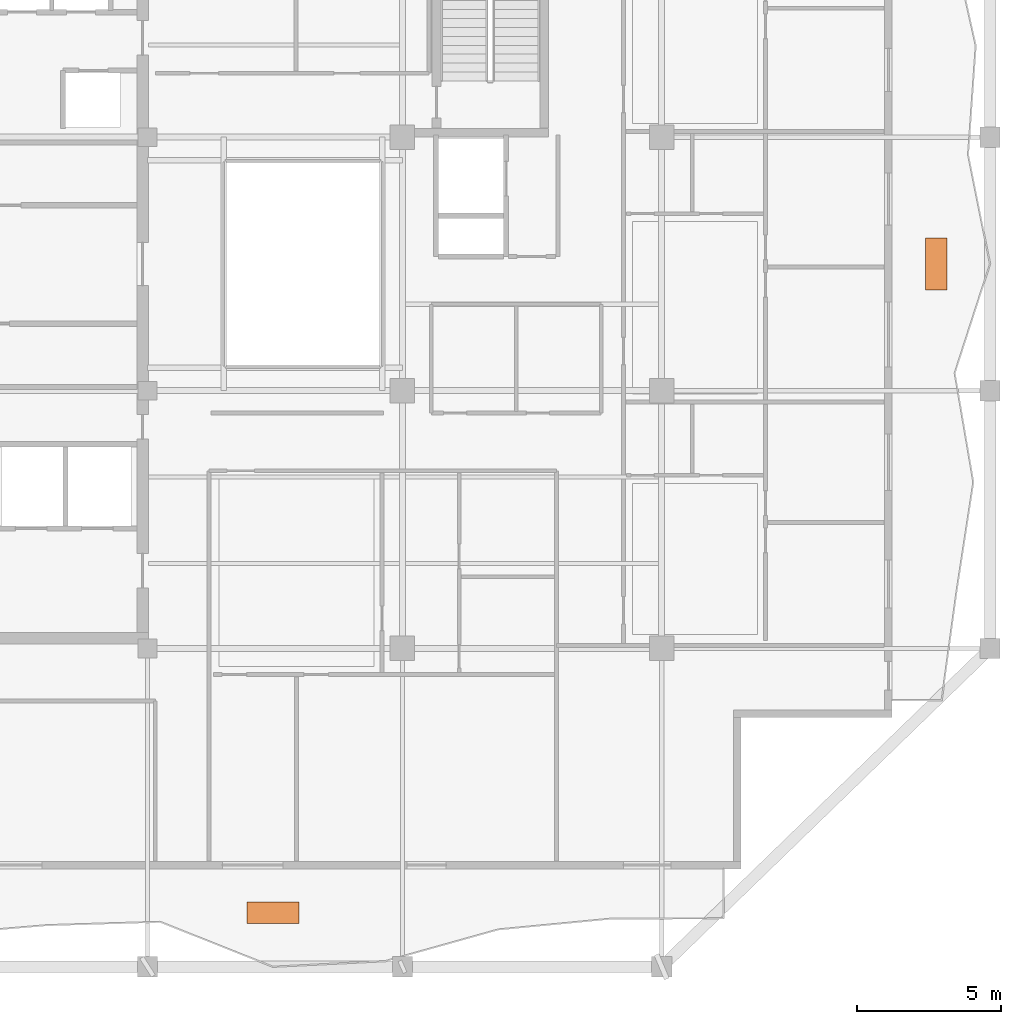
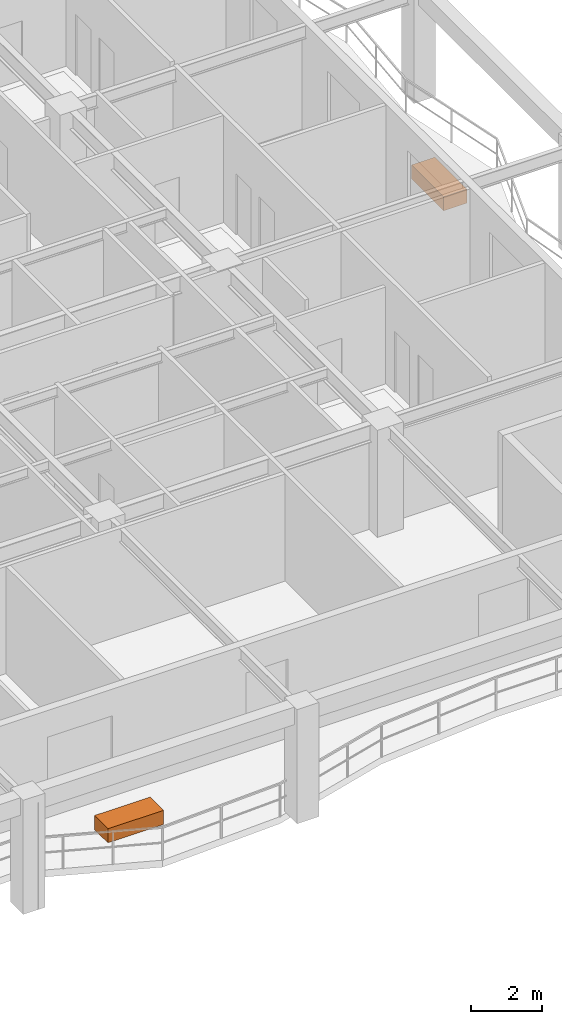
# One storey, part 12 of 12: 2 proxies.
"""IFC4 building model written with IfcOpenShell, lengths in metres."""

from ifc_helpers import new_model, si_unit, direction, frame, origin, origin_2d, place, context, subcontext, project, spatial, rectangle, extrude, material, type_object, element, save


model = new_model("IFC4")

# Units and contexts
model_context = context("Model", 3, precision=1e-05, world=origin(), true_north=direction((0.0, 1.0)))
body_context = subcontext(model_context, "Body", "Model", "MODEL_VIEW")
ifc_project = project(units=[si_unit("LENGTHUNIT", "METRE"), si_unit("AREAUNIT", "SQUARE_METRE"), si_unit("VOLUMEUNIT", "CUBIC_METRE"), si_unit("PLANEANGLEUNIT", "RADIAN"), si_unit("MASSUNIT", "GRAM", prefix="KILO")], contexts=[model_context])

# Site, building, storey
site_placement = place(None, origin())
site = spatial("IfcSite", under=ifc_project, at=site_placement, CompositionType="ELEMENT")
building_placement = place(site_placement, origin())
building = spatial("IfcBuilding", under=site, at=building_placement, Name="Kundavana Baori Tower", CompositionType="ELEMENT")
storey_placement = place(building_placement, frame((0.0, 0.0, 233.60009765625)))
storey = spatial("IfcBuildingStorey", under=building, at=storey_placement, Name="L57", CompositionType="ELEMENT", Elevation=233.60009765625)

# Proxies
ifc_material = material(Name="Red-Buff Dholpur Sandstone Cladding on Concrete C40/50", Category="masonry")
building_element_proxy_type = type_object("IfcBuildingElementProxyType", Name="PRX-PLANTER-1800", PredefinedType="USERDEFINED", material=ifc_material)
for number, where, z_axis, x_axis, name in (
    (1, (29.300048828125, 6.070068359375, 0.0), (0.0, 0.0, 1.0), (1.0, 0.0, 0.0), "L57 Dholpur Stone Structural Tree Planter S"),
    (2, (52.330078125, 28.60009765625, 0.0), (0.0, 0.0, 1.0), (0.0, 1.0, 0.0), "L57 Dholpur Stone Structural Tree Planter E"),
):
    element("IfcBuildingElementProxy", number, at=place(storey_placement, frame(where, z_axis=z_axis, x_axis=x_axis)), inside=storey, type_object=building_element_proxy_type, Name=name, ObjectType="PLANTER", PredefinedType="USERDEFINED", context=body_context, shape_type="SweptSolid", body=[
        extrude(rectangle(XDim=1.800048828125, YDim=0.75, at=origin_2d()), origin(), (0.0, 0.0, 1.0), 0.47998046875),
    ])

save(model, "model.ifc")
